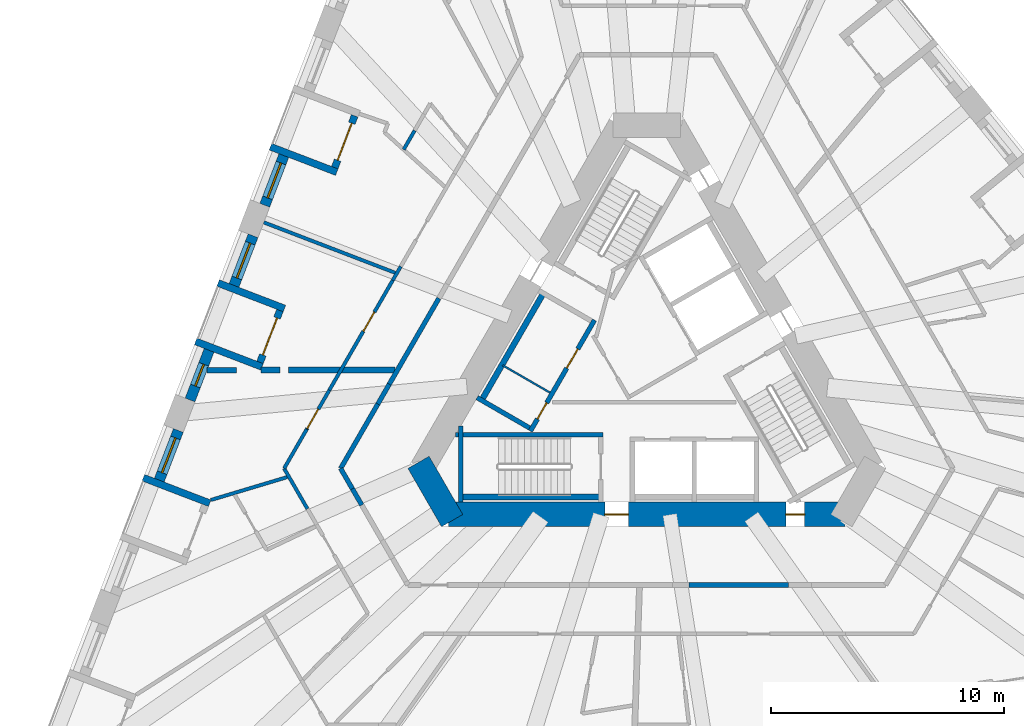
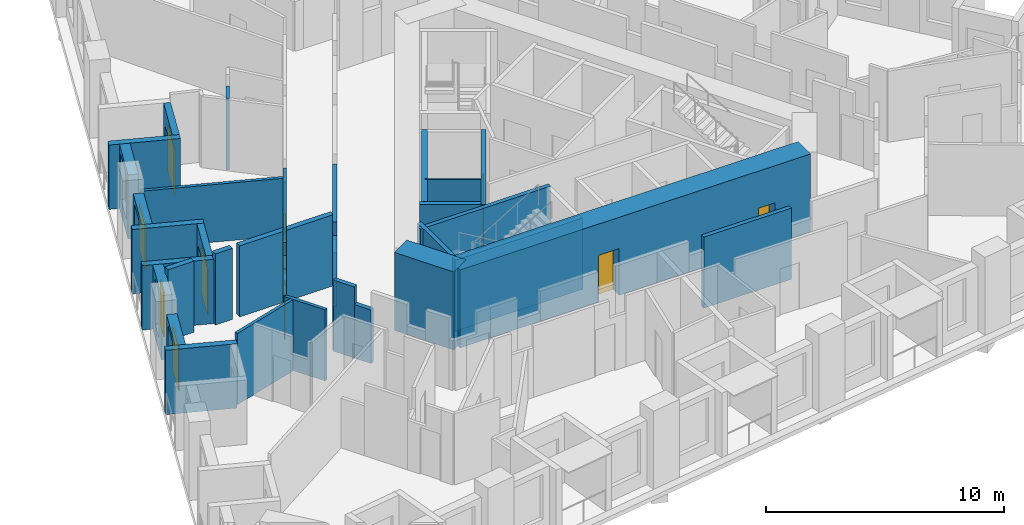
# One storey, part 4 of 14: 36 walls, 8 doors, 4 windows, 12 openings.
"""IFC4 building model written with IfcOpenShell, lengths in metres."""

from ifc_helpers import new_model, si_unit, direction, frame, frame_2d, origin, place, context, subcontext, project, spatial, polyline, rectangle, outline, extrude, material, layer, layer_set, type_object, element, fill, save


model = new_model("IFC4")

# Units and contexts
model_context = context("Model", 3, precision=1e-05, world=origin(), true_north=direction((0.0, 1.0)))
body_context = subcontext(model_context, "Body", "Model", "MODEL_VIEW")
ifc_project = project(units=[si_unit("LENGTHUNIT", "METRE"), si_unit("AREAUNIT", "SQUARE_METRE"), si_unit("VOLUMEUNIT", "CUBIC_METRE"), si_unit("PLANEANGLEUNIT", "RADIAN"), si_unit("MASSUNIT", "GRAM", prefix="KILO")], contexts=[model_context])

# Site, building, storey
site_placement = place(None, origin())
site = spatial("IfcSite", under=ifc_project, at=site_placement, CompositionType="ELEMENT")
building_placement = place(site_placement, origin())
building = spatial("IfcBuilding", under=site, at=building_placement, Name="Tramontana Tower", CompositionType="ELEMENT")
storey_placement = place(building_placement, frame((0.0, 0.0, 71.199951171875)))
storey = spatial("IfcBuildingStorey", under=building, at=storey_placement, Name="L15", CompositionType="ELEMENT", Elevation=71.199951171875)

# Wall
ifc_material_1 = material(Name="Concrete 70 MPa", Category="concrete")
ifc_layer_1 = layer(ifc_material_1, 1.050048828125)
ifc_layer_set_1 = layer_set([ifc_layer_1], Name="Core wall 1050 70 MPa")
wall_type_1 = type_object("IfcWallType", Name="Core wall 1050 70 MPa", PredefinedType="SHEAR", material=ifc_layer_set_1)
wall_1_placement = place(storey_placement, frame((-9.793212890625, -3.987548828125, 0.0), z_axis=(0.0, 0.0, 1.0), x_axis=(0.499995765644, -0.866027848477, 0.0)))
element("IfcWall", 1, at=wall_1_placement, inside=storey, type_object=wall_type_1, Name="Core wall C2 L15", PredefinedType="SHEAR", context=body_context, shape_type="SweptSolid", body=[
    extrude(rectangle(XDim=2.88671875, YDim=1.050048828125, at=frame_2d((1.443359375, 0.0))), origin(), (0.0, 0.0, 1.0), 4.0),
])

# Wall, openings, doors
wall_2_placement = place(storey_placement, frame((-8.50146484375, -6.22509765625, 0.0), z_axis=(0.0, 0.0, 1.0), x_axis=(1.0, 0.0, 0.0)))
wall_2 = element("IfcWall", 2, at=wall_2_placement, inside=storey, type_object=wall_type_1, Name="Core wall C3 L15", PredefinedType="SHEAR", context=body_context, shape_type="SweptSolid", body=[
    extrude(rectangle(XDim=17.0029296875, YDim=1.050048828125, at=frame_2d((8.50146484375, 0.0))), origin(), (0.0, 0.0, 1.0), 4.0),
])
opening_1_placement = place(wall_2_placement, frame((6.70654296875, 0.0, 0.0)))
opening_1 = element("IfcOpeningElement", 3, at=opening_1_placement, cuts=wall_2, Name="Opening RG2", PredefinedType="OPENING", context=body_context, shape_type="SweptSolid", body=[
    extrude(rectangle(XDim=1.0, YDim=2.39990234375, at=frame_2d((0.5, 1.199951171875))), frame((0.0, 0.534912109375, 0.0), z_axis=(0.0, -1.0, 0.0), x_axis=(1.0, 0.0, 0.0)), (0.0, 0.0, 1.0), 1.070068359375),
])
opening_2_placement = place(wall_2_placement, frame((14.472412109375, 0.0, 0.0)))
opening_2 = element("IfcOpeningElement", 4, at=opening_2_placement, cuts=wall_2, Name="Opening PD2", PredefinedType="OPENING", context=body_context, shape_type="SweptSolid", body=[
    extrude(rectangle(XDim=0.800048828125, YDim=2.10009765625, at=frame_2d((0.39990234375, 1.050048828125))), frame((0.0, 0.534912109375, 0.0), z_axis=(0.0, -1.0, 0.0), x_axis=(1.0, 0.0, 0.0)), (0.0, 0.0, 1.0), 1.070068359375),
])
ifc_material_2 = material(Name="Painted steel", Category="steel")
door_type_1 = type_object("IfcDoorType", Name="CUPBOARD DOOR 800", OperationType="SINGLE_SWING_LEFT", PredefinedType="DOOR", material=ifc_material_2)
door_1_placement = place(opening_2_placement, origin())
door_1 = element("IfcDoor", 5, at=door_1_placement, inside=storey, type_object=door_type_1, Name="Door PD2", OperationType="SINGLE_SWING_LEFT", OverallHeight=2.10009765625, OverallWidth=0.800048828125, PredefinedType="DOOR", context=body_context, shape_type="SweptSolid", body=[
    extrude(rectangle(XDim=0.800048828125, YDim=2.10009765625, at=frame_2d((0.39990234375, 1.050048828125))), frame((0.0, 0.02490234375, 0.0), z_axis=(0.0, -1.0, 0.0), x_axis=(1.0, 0.0, 0.0)), (0.0, 0.0, 1.0), 0.050048828125),
])
fill(opening_2, door_1)
ifc_material_3 = material(Name="Painted steel", Category="steel")
door_type_2 = type_object("IfcDoorType", Name="RING DOOR 1000", OperationType="SINGLE_SWING_LEFT", PredefinedType="DOOR", material=ifc_material_3)
door_2_placement = place(opening_1_placement, origin())
door_2 = element("IfcDoor", 6, at=door_2_placement, inside=storey, type_object=door_type_2, Name="Door RG2", OperationType="SINGLE_SWING_LEFT", OverallHeight=2.39990234375, OverallWidth=1.0, PredefinedType="DOOR", context=body_context, shape_type="SweptSolid", body=[
    extrude(rectangle(XDim=1.0, YDim=2.39990234375, at=frame_2d((0.5, 1.199951171875))), frame((0.0, 0.02490234375, 0.0), z_axis=(0.0, -1.0, 0.0), x_axis=(1.0, 0.0, 0.0)), (0.0, 0.0, 1.0), 0.050048828125),
])
fill(opening_1, door_2)

# Walls
ifc_material_4 = material(Name="Blockwork", Category="masonry")
ifc_layer_2 = layer(ifc_material_4, 0.199951171875)
ifc_layer_set_2 = layer_set([ifc_layer_2], Name="ENTRY WALL 200")
wall_type_2 = type_object("IfcWallType", Name="ENTRY WALL 200", PredefinedType="SOLIDWALL", material=ifc_layer_set_2)
wall_3_placement = place(storey_placement, frame((6.076171875, -9.25, 0.0), z_axis=(0.0, 0.0, 1.0), x_axis=(-1.0, 0.0, 0.0)))
element("IfcWall", 7, at=wall_3_placement, inside=storey, type_object=wall_type_2, Name="Wall v11-ew2-2", PredefinedType="SOLIDWALL", context=body_context, shape_type="SweptSolid", body=[
    extrude(rectangle(XDim=4.2568359375, YDim=0.199951171875, at=frame_2d((2.12841796875, 0.0))), origin(), (0.0, 0.0, 1.0), 3.650146484375),
])
wall_4_placement = place(storey_placement, frame((-12.228515625, -5.819580078125, 0.0), z_axis=(0.0, 0.0, 1.0), x_axis=(-0.499923776705, 0.866069406852, 0.0)))
element("IfcWall", 8, at=wall_4_placement, inside=storey, type_object=wall_type_2, Name="Wall v11-ew3-4", PredefinedType="SOLIDWALL", context=body_context, shape_type="SweptSolid", body=[
    extrude(rectangle(XDim=0.804931640625, YDim=0.199951171875, at=frame_2d((0.40234375, 0.0))), origin(), (0.0, 0.0, 1.0), 2.75),
])
wall_5_placement = place(storey_placement, frame((-12.630859375, -5.12255859375, 0.0), z_axis=(0.0, 0.0, 1.0), x_axis=(-0.500099969036, 0.865967678941, 0.0)))
element("IfcWall", 9, at=wall_5_placement, inside=storey, type_object=wall_type_2, Name="Wall v11-ew3-5", PredefinedType="SOLIDWALL", context=body_context, shape_type="SweptSolid", body=[
    extrude(rectangle(XDim=1.007568359375, YDim=0.199951171875, at=frame_2d((0.50390625, 0.0))), origin(), (0.0, 0.0, 1.0), 3.650146484375),
])
wall_6_placement = place(storey_placement, frame((-13.134765625, -4.25, 0.0), z_axis=(0.0, 0.0, 1.0), x_axis=(0.50003154259, 0.866007191896, 0.0)))
element("IfcWall", 10, at=wall_6_placement, inside=storey, type_object=wall_type_2, Name="Wall v11-ew4-0", PredefinedType="SOLIDWALL", context=body_context, shape_type="SweptSolid", body=[
    extrude(rectangle(XDim=3.190673828125, YDim=0.199951171875, at=frame_2d((1.59521484375, 0.0))), origin(), (0.0, 0.0, 1.0), 3.650146484375),
])
wall_7_placement = place(storey_placement, frame((-11.539306640625, -1.48681640625, 0.0), z_axis=(0.0, 0.0, 1.0), x_axis=(0.499966601515, 0.86604468555, 0.0)))
element("IfcWall", 11, at=wall_7_placement, inside=storey, type_object=wall_type_2, Name="Wall v11-ew4-1", PredefinedType="SOLIDWALL", context=body_context, shape_type="SweptSolid", body=[
    extrude(rectangle(XDim=0.98095703125, YDim=0.199951171875, at=frame_2d((0.490478515625, 0.0))), origin(), (0.0, 0.0, 1.0), 2.75),
])
wall_8_placement = place(storey_placement, frame((-11.048828125, -0.63720703125, 0.0), z_axis=(0.0, 0.0, 1.0), x_axis=(0.500000470374, 0.866025132214, 0.0)))
element("IfcWall", 12, at=wall_8_placement, inside=storey, type_object=wall_type_2, Name="Wall v11-ew4-2", PredefinedType="SOLIDWALL", context=body_context, shape_type="SweptSolid", body=[
    extrude(rectangle(XDim=4.2568359375, YDim=0.199951171875, at=frame_2d((2.12841796875, 0.0))), origin(), (0.0, 0.0, 1.0), 3.650146484375),
])

# Wall, opening, window
ifc_material_5 = material(Name="Precast concrete 60 MPa", Category="concrete")
ifc_layer_3 = layer(ifc_material_5, 0.449951171875)
ifc_layer_set_3 = layer_set([ifc_layer_3], Name="Precast concrete 60 MPa, 450 mm")
wall_type_3 = type_object("IfcWallType", Name="EW1 Stone-faced precast wall 450", PredefinedType="SOLIDWALL", material=ifc_layer_set_3)
wall_9_placement = place(storey_placement, frame((-15.572021484375, 9.1728515625, 0.0), z_axis=(0.0, 0.0, 1.0), x_axis=(-0.358355550725, -0.933585185864, 0.0)))
wall_9 = element("IfcWall", 13, at=wall_9_placement, inside=storey, type_object=wall_type_3, Name="External wall L15 face 0 bay 3", PredefinedType="SOLIDWALL", context=body_context, shape_type="SweptSolid", body=[
    extrude(rectangle(XDim=2.282958984375, YDim=0.449951171875, at=frame_2d((1.1416015625, 0.0))), origin(), (0.0, 0.0, 1.0), 3.300048828125),
])
opening_3_placement = place(wall_9_placement, frame((0.341552734375, 0.0, 0.699951171875)))
opening_3 = element("IfcOpeningElement", 14, at=opening_3_placement, cuts=wall_9, Name="Opening M1", PredefinedType="OPENING", context=body_context, shape_type="SweptSolid", body=[
    extrude(rectangle(XDim=1.60009765625, YDim=2.300048828125, at=frame_2d((0.800048828125, 1.14990234375))), frame((0.0, 0.23486328125, 0.0), z_axis=(0.0, -1.0, 0.0), x_axis=(1.0, 0.0, 0.0)), (0.0, 0.0, 1.0), 0.469970703125),
])
ifc_material_6 = material(Name="Aluminum frame, double glazing unit", Category="aluminium")
window_type_1 = type_object("IfcWindowType", Name="M1 Window 1.6 x 2.3", PartitioningType="SINGLE_PANEL", PredefinedType="WINDOW", material=ifc_material_6)
window_1_placement = place(opening_3_placement, origin())
window_1 = element("IfcWindow", 15, at=window_1_placement, inside=storey, type_object=window_type_1, Name="Window M1 L15 face 0 module 9", OverallHeight=2.300048828125, OverallWidth=1.60009765625, PartitioningType="SINGLE_PANEL", PredefinedType="WINDOW", context=body_context, shape_type="SweptSolid", body=[
    extrude(rectangle(XDim=1.60009765625, YDim=2.300048828125, at=frame_2d((0.800048828125, 1.14990234375))), frame((0.0, 0.030029296875, 0.0), z_axis=(0.0, -1.0, 0.0), x_axis=(1.0, 0.0, 0.0)), (0.0, 0.0, 1.0), 0.06005859375),
])
fill(opening_3, window_1)

wall_10_placement = place(storey_placement, frame((-16.891845703125, 5.734375, 0.0), z_axis=(0.0, 0.0, 1.0), x_axis=(-0.358355550725, -0.933585185864, 0.0)))
wall_10 = element("IfcWall", 16, at=wall_10_placement, inside=storey, type_object=wall_type_3, Name="External wall L15 face 0 bay 4", PredefinedType="SOLIDWALL", context=body_context, shape_type="SweptSolid", body=[
    extrude(rectangle(XDim=2.282958984375, YDim=0.449951171875, at=frame_2d((1.1416015625, 0.0))), origin(), (0.0, 0.0, 1.0), 3.300048828125),
])
opening_4_placement = place(wall_10_placement, frame((0.341552734375, 0.0, 0.699951171875)))
opening_4 = element("IfcOpeningElement", 17, at=opening_4_placement, cuts=wall_10, Name="Opening M1", PredefinedType="OPENING", context=body_context, shape_type="SweptSolid", body=[
    extrude(rectangle(XDim=1.60009765625, YDim=2.300048828125, at=frame_2d((0.800048828125, 1.14990234375))), frame((0.0, 0.23486328125, 0.0), z_axis=(0.0, -1.0, 0.0), x_axis=(1.0, 0.0, 0.0)), (0.0, 0.0, 1.0), 0.469970703125),
])
window_2_placement = place(opening_4_placement, origin())
window_2 = element("IfcWindow", 18, at=window_2_placement, inside=storey, type_object=window_type_1, Name="Window M1 L15 face 0 module 10", OverallHeight=2.300048828125, OverallWidth=1.60009765625, PartitioningType="SINGLE_PANEL", PredefinedType="WINDOW", context=body_context, shape_type="SweptSolid", body=[
    extrude(rectangle(XDim=1.60009765625, YDim=2.300048828125, at=frame_2d((0.800048828125, 1.14990234375))), frame((0.0, 0.030029296875, 0.0), z_axis=(0.0, -1.0, 0.0), x_axis=(1.0, 0.0, 0.0)), (0.0, 0.0, 1.0), 0.06005859375),
])
fill(opening_4, window_2)

wall_11_placement = place(storey_placement, frame((-18.779052734375, 0.818115234375, 0.0), z_axis=(0.0, 0.0, 1.0), x_axis=(-0.358355550725, -0.933585185864, 0.0)))
wall_11 = element("IfcWall", 19, at=wall_11_placement, inside=storey, type_object=wall_type_3, Name="External wall L15 face 0 bay 4", PredefinedType="SOLIDWALL", context=body_context, shape_type="SweptSolid", body=[
    extrude(rectangle(XDim=2.282958984375, YDim=0.449951171875, at=frame_2d((1.1416015625, 0.0))), origin(), (0.0, 0.0, 1.0), 3.300048828125),
])
opening_5_placement = place(wall_11_placement, frame((0.6416015625, 0.0, 0.699951171875)))
opening_5 = element("IfcOpeningElement", 20, at=opening_5_placement, cuts=wall_11, Name="Opening N1", PredefinedType="OPENING", context=body_context, shape_type="SweptSolid", body=[
    extrude(rectangle(XDim=1.0, YDim=2.300048828125, at=frame_2d((0.5, 1.14990234375))), frame((0.0, 0.23486328125, 0.0), z_axis=(0.0, -1.0, 0.0), x_axis=(1.0, 0.0, 0.0)), (0.0, 0.0, 1.0), 0.469970703125),
])
ifc_material_7 = material(Name="Aluminum frame, double glazing unit", Category="aluminium")
window_type_2 = type_object("IfcWindowType", Name="N1 Window 1 x 2.3", PartitioningType="SINGLE_PANEL", PredefinedType="WINDOW", material=ifc_material_7)
window_3_placement = place(opening_5_placement, origin())
window_3 = element("IfcWindow", 21, at=window_3_placement, inside=storey, type_object=window_type_2, Name="Window N1 L15 face 0 module 12", OverallHeight=2.300048828125, OverallWidth=1.0, PartitioningType="SINGLE_PANEL", PredefinedType="WINDOW", context=body_context, shape_type="SweptSolid", body=[
    extrude(rectangle(XDim=1.0, YDim=2.300048828125, at=frame_2d((0.5, 1.14990234375))), frame((0.0, 0.030029296875, 0.0), z_axis=(0.0, -1.0, 0.0), x_axis=(1.0, 0.0, 0.0)), (0.0, 0.0, 1.0), 0.06005859375),
])
fill(opening_5, window_3)

wall_12_placement = place(storey_placement, frame((-20.098876953125, -2.6201171875, 0.0), z_axis=(0.0, 0.0, 1.0), x_axis=(-0.358355550725, -0.933585185864, 0.0)))
wall_12 = element("IfcWall", 22, at=wall_12_placement, inside=storey, type_object=wall_type_3, Name="External wall L15 face 0 bay 5", PredefinedType="SOLIDWALL", context=body_context, shape_type="SweptSolid", body=[
    extrude(rectangle(XDim=2.282958984375, YDim=0.449951171875, at=frame_2d((1.1416015625, 0.0))), origin(), (0.0, 0.0, 1.0), 3.300048828125),
])
opening_6_placement = place(wall_12_placement, frame((0.341552734375, 0.0, 0.699951171875)))
opening_6 = element("IfcOpeningElement", 23, at=opening_6_placement, cuts=wall_12, Name="Opening M1", PredefinedType="OPENING", context=body_context, shape_type="SweptSolid", body=[
    extrude(rectangle(XDim=1.60009765625, YDim=2.300048828125, at=frame_2d((0.800048828125, 1.14990234375))), frame((0.0, 0.23486328125, 0.0), z_axis=(0.0, -1.0, 0.0), x_axis=(1.0, 0.0, 0.0)), (0.0, 0.0, 1.0), 0.469970703125),
])
window_4_placement = place(opening_6_placement, origin())
window_4 = element("IfcWindow", 24, at=window_4_placement, inside=storey, type_object=window_type_1, Name="Window M1 L15 face 0 module 13", OverallHeight=2.300048828125, OverallWidth=1.60009765625, PartitioningType="SINGLE_PANEL", PredefinedType="WINDOW", context=body_context, shape_type="SweptSolid", body=[
    extrude(rectangle(XDim=1.60009765625, YDim=2.300048828125, at=frame_2d((0.800048828125, 1.14990234375))), frame((0.0, 0.030029296875, 0.0), z_axis=(0.0, -1.0, 0.0), x_axis=(1.0, 0.0, 0.0)), (0.0, 0.0, 1.0), 0.06005859375),
])
fill(opening_6, window_4)

# Wall, opening, door
ifc_material_8 = material(Name="Precast concrete 60 MPa", Category="concrete")
ifc_layer_4 = layer(ifc_material_8, 0.300048828125)
ifc_layer_set_4 = layer_set([ifc_layer_4], Name="LW1 Stone-faced loggia wall 300")
wall_type_4 = type_object("IfcWallType", Name="LW1 Stone-faced loggia wall 300", PredefinedType="SOLIDWALL", material=ifc_layer_set_4)
wall_13_placement = place(storey_placement, frame((-12.533447265625, 10.880126953125, 0.0), z_axis=(0.0, 0.0, 1.0), x_axis=(-0.35838856932, -0.933572511046, 0.0)))
wall_13 = element("IfcWall", 25, at=wall_13_placement, inside=storey, type_object=wall_type_4, Name="Loggia wall L15 G1S0.7", PredefinedType="SOLIDWALL", context=body_context, shape_type="SweptSolid", body=[
    extrude(rectangle(XDim=2.3828125, YDim=0.300048828125, at=frame_2d((1.19140625, 0.0))), origin(), (0.0, 0.0, 1.0), 3.300048828125),
])
opening_7_placement = place(wall_13_placement, frame((0.341552734375, 0.0, 0.0)))
opening_7 = element("IfcOpeningElement", 26, at=opening_7_placement, cuts=wall_13, Name="Opening BD-1S0-07", PredefinedType="OPENING", context=body_context, shape_type="SweptSolid", body=[
    extrude(rectangle(XDim=1.699951171875, YDim=2.39990234375, at=frame_2d((0.85009765625, 1.199951171875))), frame((0.0, 0.159912109375, 0.0), z_axis=(0.0, -1.0, 0.0), x_axis=(1.0, 0.0, 0.0)), (0.0, 0.0, 1.0), 0.320068359375),
])
ifc_material_9 = material(Name="Aluminum frame, double glazing unit", Category="aluminium")
door_type_3 = type_object("IfcDoorType", Name="BD1 Sliding door 1.7 x 2.4", OperationType="SLIDING_TO_LEFT", PredefinedType="DOOR", material=ifc_material_9)
door_3_placement = place(opening_7_placement, origin())
door_3 = element("IfcDoor", 27, at=door_3_placement, inside=storey, type_object=door_type_3, Name="Loggia door L15 G1S0.7", OperationType="SLIDING_TO_LEFT", OverallHeight=2.39990234375, OverallWidth=1.699951171875, PredefinedType="DOOR", context=body_context, shape_type="SweptSolid", body=[
    extrude(rectangle(XDim=1.699951171875, YDim=2.39990234375, at=frame_2d((0.85009765625, 1.199951171875))), frame((0.0, 0.02490234375, 0.0), z_axis=(0.0, -1.0, 0.0), x_axis=(1.0, 0.0, 0.0)), (0.0, 0.0, 1.0), 0.050048828125),
])
fill(opening_7, door_3)

# Wall
wall_14_placement = place(storey_placement, frame((-16.1484375, 9.5546875, 0.0), z_axis=(0.0, 0.0, 1.0), x_axis=(0.933580593625, -0.358367514161, 0.0)))
element("IfcWall", 28, at=wall_14_placement, inside=storey, type_object=wall_type_4, Name="Loggia return L15 G1S0.7b", PredefinedType="SOLIDWALL", context=body_context, shape_type="SweptSolid", body=[
    extrude(rectangle(XDim=3.050048828125, YDim=0.300048828125, at=frame_2d((1.52490234375, 0.0))), origin(), (0.0, 0.0, 1.0), 3.300048828125),
])

# Wall, opening, door
wall_15_placement = place(storey_placement, frame((-15.740478515625, 2.525634765625, 0.0), z_axis=(0.0, 0.0, 1.0), x_axis=(-0.35829926872, -0.933606787697, 0.0)))
wall_15 = element("IfcWall", 29, at=wall_15_placement, inside=storey, type_object=wall_type_4, Name="Loggia wall L15 G1S0.10", PredefinedType="SOLIDWALL", context=body_context, shape_type="SweptSolid", body=[
    extrude(rectangle(XDim=2.3828125, YDim=0.300048828125, at=frame_2d((1.19140625, 0.0))), origin(), (0.0, 0.0, 1.0), 3.300048828125),
])
opening_8_placement = place(wall_15_placement, frame((0.341552734375, 0.0, 0.0)))
opening_8 = element("IfcOpeningElement", 30, at=opening_8_placement, cuts=wall_15, Name="Opening BD-1S0-10", PredefinedType="OPENING", context=body_context, shape_type="SweptSolid", body=[
    extrude(rectangle(XDim=1.699951171875, YDim=2.39990234375, at=frame_2d((0.85009765625, 1.199951171875))), frame((0.0, 0.159912109375, 0.0), z_axis=(0.0, -1.0, 0.0), x_axis=(1.0, 0.0, 0.0)), (0.0, 0.0, 1.0), 0.320068359375),
])
door_4_placement = place(opening_8_placement, origin())
door_4 = element("IfcDoor", 31, at=door_4_placement, inside=storey, type_object=door_type_3, Name="Loggia door L15 G1S0.10", OperationType="SLIDING_TO_LEFT", OverallHeight=2.39990234375, OverallWidth=1.699951171875, PredefinedType="DOOR", context=body_context, shape_type="SweptSolid", body=[
    extrude(rectangle(XDim=1.699951171875, YDim=2.39990234375, at=frame_2d((0.85009765625, 1.199951171875))), frame((0.0, 0.02490234375, 0.0), z_axis=(0.0, -1.0, 0.0), x_axis=(1.0, 0.0, 0.0)), (0.0, 0.0, 1.0), 0.050048828125),
])
fill(opening_8, door_4)

# Walls
for number, where, z_axis, x_axis, name in (
    (32, (-18.39404296875, 3.704833984375, 0.0), (0.0, 0.0, 1.0), (0.933580593625, -0.358367514161, 0.0), "Loggia return L15 G1S0.10a"),
    (33, (-19.35546875, 1.2001953125, 0.0), (0.0, 0.0, 1.0), (0.933580593625, -0.358367514161, 0.0), "Loggia return L15 G1S0.10b"),
    (34, (-21.60107421875, -4.649658203125, 0.0), (0.0, 0.0, 1.0), (0.933580593625, -0.358367514161, 0.0), "Loggia return L15 G1S0.13a"),
):
    element("IfcWall", number, at=place(storey_placement, frame(where, z_axis=z_axis, x_axis=x_axis)), inside=storey, type_object=wall_type_4, Name=name, PredefinedType="SOLIDWALL", context=body_context, shape_type="SweptSolid", body=[
        extrude(rectangle(XDim=3.050048828125, YDim=0.300048828125, at=frame_2d((1.52490234375, 0.0))), origin(), (0.0, 0.0, 1.0), 3.300048828125),
    ])
ifc_material_10 = material(Name="Gypsum board partition")
ifc_layer_5 = layer(ifc_material_10, 0.14990234375)
ifc_layer_set_5 = layer_set([ifc_layer_5], Name="PARTITION 150")
wall_type_5 = type_object("IfcWallType", Name="PARTITION 150", PredefinedType="PARTITIONING", material=ifc_layer_set_5)
wall_16_placement = place(storey_placement, frame((-18.699951171875, -5.6025390625, 0.0), z_axis=(0.0, 0.0, 1.0), x_axis=(0.957930571871, 0.287000033929, 0.0)))
element("IfcWall", 35, at=wall_16_placement, inside=storey, type_object=wall_type_5, Name="Wall v11-pw01", PredefinedType="PARTITIONING", context=body_context, shape_type="SweptSolid", body=[
    extrude(rectangle(XDim=3.412841796875, YDim=0.14990234375, at=frame_2d((1.70654296875, 0.0))), origin(), (0.0, 0.0, 1.0), 3.650146484375),
])
wall_17_placement = place(storey_placement, frame((-15.5595703125, -4.25, 0.0), z_axis=(0.0, 0.0, 1.0), x_axis=(0.500021055713, 0.866013246922, 0.0)))
element("IfcWall", 36, at=wall_17_placement, inside=storey, type_object=wall_type_5, Name="Wall v11-pw05-0", PredefinedType="PARTITIONING", context=body_context, shape_type="SweptSolid", body=[
    extrude(rectangle(XDim=1.9345703125, YDim=0.14990234375, at=frame_2d((0.96728515625, 0.0))), origin(), (0.0, 0.0, 1.0), 3.650146484375),
])

# Wall, opening, door
wall_18_placement = place(storey_placement, frame((-14.59228515625, -2.57470703125, 0.0), z_axis=(0.0, 0.0, 1.0), x_axis=(0.499976186015, 0.866039152359, 0.0)))
wall_18 = element("IfcWall", 37, at=wall_18_placement, inside=storey, type_object=wall_type_5, Name="Wall v11-pw05-1", PredefinedType="PARTITIONING", context=body_context, shape_type="SweptSolid", body=[
    extrude(outline(polyline([(0.0, 0.0), (1.943359375, 0.0), (1.943603515625, 2.75), (0.9931640625, 2.75), (0.9931640625, 3.650146484375), (0.0, 3.650146484375), (0.0, 0.0)])), frame((0.0, 0.074951171875, 0.0), z_axis=(0.0, -1.0, 0.0), x_axis=(1.0, 0.0, 0.0)), (0.0, 0.0, 1.0), 0.14990234375),
])
opening_9_placement = place(wall_18_placement, frame((0.050048828125, 0.0, 0.0)))
opening_9 = element("IfcOpeningElement", 38, at=opening_9_placement, cuts=wall_18, Name="Opening B1B-16", PredefinedType="OPENING", context=body_context, shape_type="SweptSolid", body=[
    extrude(rectangle(XDim=0.949951171875, YDim=2.39990234375, at=frame_2d((0.47509765625, 1.199951171875))), frame((0.0, 0.0849609375, 0.0), z_axis=(0.0, -1.0, 0.0), x_axis=(1.0, 0.0, 0.0)), (0.0, 0.0, 1.0), 0.169921875),
])
ifc_material_11 = material(Name="Painted timber", Category="wood")
door_type_4 = type_object("IfcDoorType", Name="DOOR ROOM 950", OperationType="SINGLE_SWING_LEFT", PredefinedType="DOOR", material=ifc_material_11)
door_5_placement = place(opening_9_placement, origin())
door_5 = element("IfcDoor", 39, at=door_5_placement, inside=storey, type_object=door_type_4, Name="Door B1B-16", OperationType="SINGLE_SWING_RIGHT", OverallHeight=2.39990234375, OverallWidth=0.949951171875, PredefinedType="DOOR", context=body_context, shape_type="SweptSolid", body=[
    extrude(rectangle(XDim=0.949951171875, YDim=2.39990234375, at=frame_2d((0.47509765625, 1.199951171875))), frame((0.0, 0.02490234375, 0.0), z_axis=(0.0, -1.0, 0.0), x_axis=(1.0, 0.0, 0.0)), (0.0, 0.0, 1.0), 0.050048828125),
])
fill(opening_9, door_5)

wall_19_placement = place(storey_placement, frame((-13.62060546875, -0.8916015625, 0.0), z_axis=(0.0, 0.0, 1.0), x_axis=(0.499983886315, 0.866034706825, 0.0)))
wall_19 = element("IfcWall", 40, at=wall_19_placement, inside=storey, type_object=wall_type_5, Name="Wall v11-pw05-2", PredefinedType="PARTITIONING", context=body_context, shape_type="SweptSolid", body=[
    extrude(rectangle(XDim=5.443115234375, YDim=0.14990234375, at=frame_2d((2.7216796875, 0.0))), origin(), (0.0, 0.0, 1.0), 3.650146484375),
])
opening_10_placement = place(wall_19_placement, frame((2.91845703125, 0.0, 0.0)))
opening_10 = element("IfcOpeningElement", 41, at=opening_10_placement, cuts=wall_19, Name="Opening B1B-08", PredefinedType="OPENING", context=body_context, shape_type="SweptSolid", body=[
    extrude(rectangle(XDim=0.949951171875, YDim=2.39990234375, at=frame_2d((0.47509765625, 1.199951171875))), frame((0.0, 0.0849609375, 0.0), z_axis=(0.0, -1.0, 0.0), x_axis=(1.0, 0.0, 0.0)), (0.0, 0.0, 1.0), 0.169921875),
])
door_6_placement = place(opening_10_placement, origin())
door_6 = element("IfcDoor", 42, at=door_6_placement, inside=storey, type_object=door_type_4, Name="Door B1B-08", OperationType="SINGLE_SWING_RIGHT", OverallHeight=2.39990234375, OverallWidth=0.949951171875, PredefinedType="DOOR", context=body_context, shape_type="SweptSolid", body=[
    extrude(rectangle(XDim=0.949951171875, YDim=2.39990234375, at=frame_2d((0.47509765625, 1.199951171875))), frame((0.0, 0.02490234375, 0.0), z_axis=(0.0, -1.0, 0.0), x_axis=(1.0, 0.0, 0.0)), (0.0, 0.0, 1.0), 0.050048828125),
])
fill(opening_10, door_6)

# Walls
wall_20_placement = place(storey_placement, frame((-10.899169921875, 3.822265625, 0.0), z_axis=(0.0, 0.0, 1.0), x_axis=(0.500134748329, 0.865947592822, 0.0)))
element("IfcWall", 43, at=wall_20_placement, inside=storey, type_object=wall_type_5, Name="Wall v11-pw05-3", PredefinedType="PARTITIONING", context=body_context, shape_type="SweptSolid", body=[
    extrude(rectangle(XDim=0.683349609375, YDim=0.14990234375, at=frame_2d((0.341796875, 0.0))), origin(), (0.0, 0.0, 1.0), 2.949951171875),
])
wall_21_placement = place(storey_placement, frame((-14.55810546875, -5.984619140625, 0.0), z_axis=(0.0, 0.0, 1.0), x_axis=(-0.499993265928, 0.866029291668, 0.0)))
element("IfcWall", 44, at=wall_21_placement, inside=storey, type_object=wall_type_5, Name="Wall v11-pw11-4", PredefinedType="PARTITIONING", context=body_context, shape_type="SweptSolid", body=[
    extrude(rectangle(XDim=2.0029296875, YDim=0.14990234375, at=frame_2d((1.00146484375, 0.0))), origin(), (0.0, 0.0, 1.0), 3.650146484375),
])
wall_22_placement = place(storey_placement, frame((-10.799072265625, 4.1455078125, 0.0), z_axis=(0.0, 0.0, 1.0), x_axis=(-0.933580095579, 0.358368811616, 0.0)))
element("IfcWall", 45, at=wall_22_placement, inside=storey, type_object=wall_type_5, Name="Wall v11-pw16-0", PredefinedType="PARTITIONING", context=body_context, shape_type="SweptSolid", body=[
    extrude(rectangle(XDim=6.032470703125, YDim=0.14990234375, at=frame_2d((3.01611328125, 0.0))), origin(), (0.0, 0.0, 1.0), 2.949951171875),
])
wall_23_placement = place(storey_placement, frame((-10.4306640625, 9.43359375, 0.0), z_axis=(0.0, 0.0, 1.0), x_axis=(0.499962016178, 0.866047332643, 0.0)))
element("IfcWall", 46, at=wall_23_placement, inside=storey, type_object=wall_type_5, Name="Wall v11-pw18-0", PredefinedType="PARTITIONING", context=body_context, shape_type="SweptSolid", body=[
    extrude(rectangle(XDim=0.94091796875, YDim=0.14990234375, at=frame_2d((0.470458984375, 0.0))), origin(), (0.0, 0.0, 1.0), 3.650146484375),
])
ifc_material_12 = material(Name="Gypsum board partition")
ifc_layer_6 = layer(ifc_material_12, 0.080078125)
ifc_layer_set_6 = layer_set([ifc_layer_6], Name="PARTITION 80")
wall_type_6 = type_object("IfcWallType", Name="PARTITION 80", PredefinedType="PARTITIONING", material=ifc_layer_set_6)
wall_24_placement = place(storey_placement, frame((-4.15478515625, -0.99609375, 0.0), z_axis=(0.0, 0.0, 1.0), x_axis=(-0.866016039709, 0.500016218704, 0.0)))
element("IfcWall", 47, at=wall_24_placement, inside=storey, type_object=wall_type_6, Name="Wall row0-split", PredefinedType="PARTITIONING", context=body_context, shape_type="SweptSolid", body=[
    extrude(rectangle(XDim=2.35009765625, YDim=0.080078125, at=frame_2d((1.175048828125, 0.0))), origin(), (0.0, 0.0, 1.0), 3.650146484375),
])
ifc_material_13 = material(Name="Blockwork", Category="masonry")
ifc_layer_7 = layer(ifc_material_13, 0.25)
ifc_layer_set_7 = layer_set([ifc_layer_7], Name="PARTY WALL 250")
wall_type_7 = type_object("IfcWallType", Name="PARTY WALL 250", PredefinedType="SOLIDWALL", material=ifc_layer_set_7)
wall_25_placement = place(storey_placement, frame((-17.61181640625, -0.034912109375, 0.0), z_axis=(0.0, 0.0, 1.0), x_axis=(-0.99999770915, -0.002140489356, 0.0)))
element("IfcWall", 48, at=wall_25_placement, inside=storey, type_object=wall_type_7, Name="Wall v11-pw02", PredefinedType="SOLIDWALL", context=body_context, shape_type="SweptSolid", body=[
    extrude(rectangle(XDim=1.254638671875, YDim=0.25, at=frame_2d((0.62744140625, 0.0))), origin(), (0.0, 0.0, 1.0), 3.650146484375),
])
wall_26_placement = place(storey_placement, frame((-15.72900390625, -0.03125, 0.0), z_axis=(0.0, 0.0, 1.0), x_axis=(-0.999997894277, -0.002052179789, 0.0)))
element("IfcWall", 49, at=wall_26_placement, inside=storey, type_object=wall_type_7, Name="Wall v11-pw04", PredefinedType="SOLIDWALL", context=body_context, shape_type="SweptSolid", body=[
    extrude(rectangle(XDim=0.832763671875, YDim=0.25, at=frame_2d((0.41650390625, 0.0))), origin(), (0.0, 0.0, 1.0), 3.650146484375),
])
wall_27_placement = place(storey_placement, frame((-10.808837890625, -0.021484375, 0.0), z_axis=(0.0, 0.0, 1.0), x_axis=(-0.999998049656, -0.001975014831, 0.0)))
element("IfcWall", 50, at=wall_27_placement, inside=storey, type_object=wall_type_7, Name="Wall v11-pw15", PredefinedType="SOLIDWALL", context=body_context, shape_type="SweptSolid", body=[
    extrude(rectangle(XDim=4.57373046875, YDim=0.25, at=frame_2d((2.286865234375, 0.0))), origin(), (0.0, 0.0, 1.0), 3.650146484375),
])
ifc_material_14 = material(Name="Concrete 70 MPa", Category="concrete")
ifc_layer_8 = layer(ifc_material_14, 0.25)
ifc_layer_set_8 = layer_set([ifc_layer_8], Name="Concrete 70 MPa, 250 mm")
wall_type_8 = type_object("IfcWallType", Name="RC SHAFT BACK WALL 250", PredefinedType="SOLIDWALL", material=ifc_layer_set_8)
wall_28_placement = place(storey_placement, frame((-8.080078125, -5.47509765625, 0.0), z_axis=(0.0, 0.0, 1.0), x_axis=(1.0, 0.0, 0.0)))
element("IfcWall", 51, at=wall_28_placement, inside=storey, type_object=wall_type_8, Name="Wall st2-back", PredefinedType="SOLIDWALL", context=body_context, shape_type="SweptSolid", body=[
    extrude(rectangle(XDim=6.2001953125, YDim=0.25, at=frame_2d((3.10009765625, 0.0))), origin(), (0.0, 0.0, 1.0), 3.650146484375),
])
wall_29_placement = place(storey_placement, frame((-4.386474609375, 3.352294921875, 0.0), z_axis=(0.0, 0.0, 1.0), x_axis=(-0.500015767406, -0.866016300277, 0.0)))
element("IfcWall", 52, at=wall_29_placement, inside=storey, type_object=wall_type_8, Name="Wall row0-back", PredefinedType="SOLIDWALL", context=body_context, shape_type="SweptSolid", body=[
    extrude(rectangle(XDim=5.499755859375, YDim=0.25, at=frame_2d((2.75, 0.0))), origin(), (0.0, 0.0, 1.0), 3.650146484375),
])
ifc_material_15 = material(Name="Concrete 70 MPa", Category="concrete")
ifc_layer_9 = layer(ifc_material_15, 0.199951171875)
ifc_layer_set_9 = layer_set([ifc_layer_9], Name="Concrete 70 MPa, 200 mm")
wall_type_9 = type_object("IfcWallType", Name="RC STAIR AND SHAFT WALL 200", PredefinedType="SOLIDWALL", material=ifc_layer_set_9)
wall_30_placement = place(storey_placement, frame((-8.198486328125, -2.800048828125, 0.0), z_axis=(0.0, 0.0, 1.0), x_axis=(1.0, 0.0, 0.0)))
element("IfcWall", 53, at=wall_30_placement, inside=storey, type_object=wall_type_9, Name="Wall st2-front", PredefinedType="SOLIDWALL", context=body_context, shape_type="SweptSolid", body=[
    extrude(rectangle(XDim=6.318603515625, YDim=0.199951171875, at=frame_2d((3.1591796875, 0.0))), origin(), (0.0, 0.0, 1.0), 3.650146484375),
])
wall_31_placement = place(storey_placement, frame((-7.97998046875, -2.421875, 0.0), z_axis=(0.0, 0.0, 1.0), x_axis=(0.0, -1.0, 0.0)))
element("IfcWall", 54, at=wall_31_placement, inside=storey, type_object=wall_type_9, Name="Wall st2-far", PredefinedType="SOLIDWALL", context=body_context, shape_type="SweptSolid", body=[
    extrude(rectangle(XDim=3.278076171875, YDim=0.199951171875, at=frame_2d((1.63916015625, 0.0))), origin(), (0.0, 0.0, 1.0), 3.650146484375),
])

# Wall, openings, doors
wall_32_placement = place(storey_placement, frame((-4.9931640625, -2.648193359375, 0.0), z_axis=(0.0, 0.0, 1.0), x_axis=(0.499996545922, 0.866027397988, 0.0)))
wall_32 = element("IfcWall", 55, at=wall_32_placement, inside=storey, type_object=wall_type_9, Name="Wall row0-front", PredefinedType="SOLIDWALL", context=body_context, shape_type="SweptSolid", body=[
    extrude(rectangle(XDim=5.5, YDim=0.199951171875, at=frame_2d((2.75, 0.0))), origin(), (0.0, 0.0, 1.0), 3.650146484375),
])
opening_11_placement = place(wall_32_placement, frame((3.1201171875, 0.0, 0.0)))
opening_11 = element("IfcOpeningElement", 56, at=opening_11_placement, cuts=wall_32, Name="Opening RD-0A", PredefinedType="OPENING", context=body_context, shape_type="SweptSolid", body=[
    extrude(rectangle(XDim=0.949951171875, YDim=2.39990234375, at=frame_2d((0.47509765625, 1.199951171875))), frame((0.0, 0.10986328125, 0.0), z_axis=(0.0, -1.0, 0.0), x_axis=(1.0, 0.0, 0.0)), (0.0, 0.0, 1.0), 0.219970703125),
])
opening_12_placement = place(wall_32_placement, frame((0.60498046875, 0.0, 0.0)))
opening_12 = element("IfcOpeningElement", 57, at=opening_12_placement, cuts=wall_32, Name="Opening RD-0B", PredefinedType="OPENING", context=body_context, shape_type="SweptSolid", body=[
    extrude(rectangle(XDim=0.800048828125, YDim=2.10009765625, at=frame_2d((0.39990234375, 1.050048828125))), frame((0.0, 0.10986328125, 0.0), z_axis=(0.0, -1.0, 0.0), x_axis=(1.0, 0.0, 0.0)), (0.0, 0.0, 1.0), 0.219970703125),
])
door_7_placement = place(opening_12_placement, origin())
door_7 = element("IfcDoor", 58, at=door_7_placement, inside=storey, type_object=door_type_1, Name="Door RD-0B", OperationType="SINGLE_SWING_RIGHT", OverallHeight=2.10009765625, OverallWidth=0.800048828125, PredefinedType="DOOR", context=body_context, shape_type="SweptSolid", body=[
    extrude(rectangle(XDim=0.800048828125, YDim=2.10009765625, at=frame_2d((0.39990234375, 1.050048828125))), frame((0.0, 0.02490234375, 0.0), z_axis=(0.0, -1.0, 0.0), x_axis=(1.0, 0.0, 0.0)), (0.0, 0.0, 1.0), 0.050048828125),
])
fill(opening_12, door_7)
door_8_placement = place(opening_11_placement, origin())
door_8 = element("IfcDoor", 59, at=door_8_placement, inside=storey, type_object=door_type_4, Name="Door RD-0A", OperationType="SINGLE_SWING_LEFT", OverallHeight=2.39990234375, OverallWidth=0.949951171875, PredefinedType="DOOR", context=body_context, shape_type="SweptSolid", body=[
    extrude(rectangle(XDim=0.949951171875, YDim=2.39990234375, at=frame_2d((0.47509765625, 1.199951171875))), frame((0.0, 0.02490234375, 0.0), z_axis=(0.0, -1.0, 0.0), x_axis=(1.0, 0.0, 0.0)), (0.0, 0.0, 1.0), 0.050048828125),
])
fill(opening_11, door_8)

# Wall
wall_33_placement = place(storey_placement, frame((-5.02978515625, -2.51171875, 0.0), z_axis=(0.0, 0.0, 1.0), x_axis=(-0.865997922154, 0.500047596559, 0.0)))
element("IfcWall", 60, at=wall_33_placement, inside=storey, type_object=wall_type_9, Name="Wall row0-side2", PredefinedType="SOLIDWALL", context=body_context, shape_type="SweptSolid", body=[
    extrude(rectangle(XDim=2.599853515625, YDim=0.199951171875, at=frame_2d((1.2998046875, 0.0))), origin(), (0.0, 0.0, 1.0), 3.650146484375),
])

save(model, "model.ifc")
